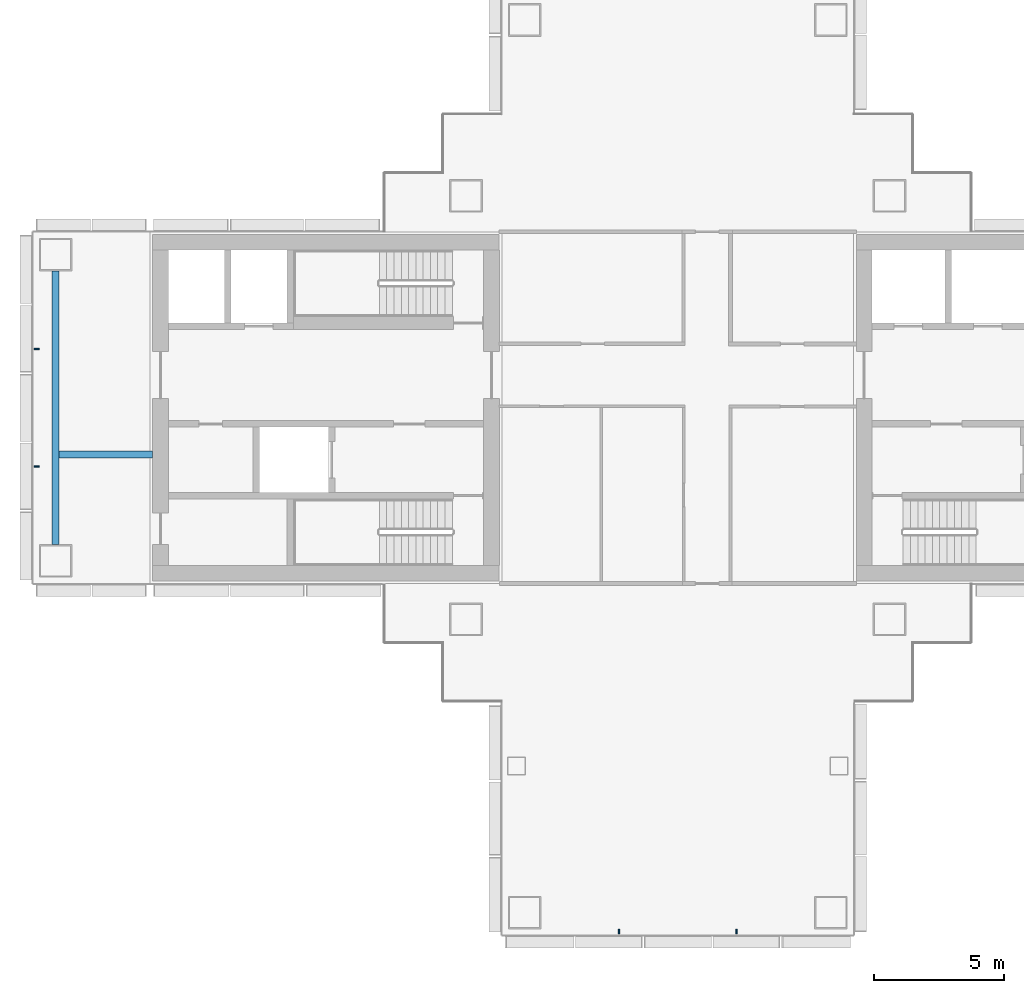
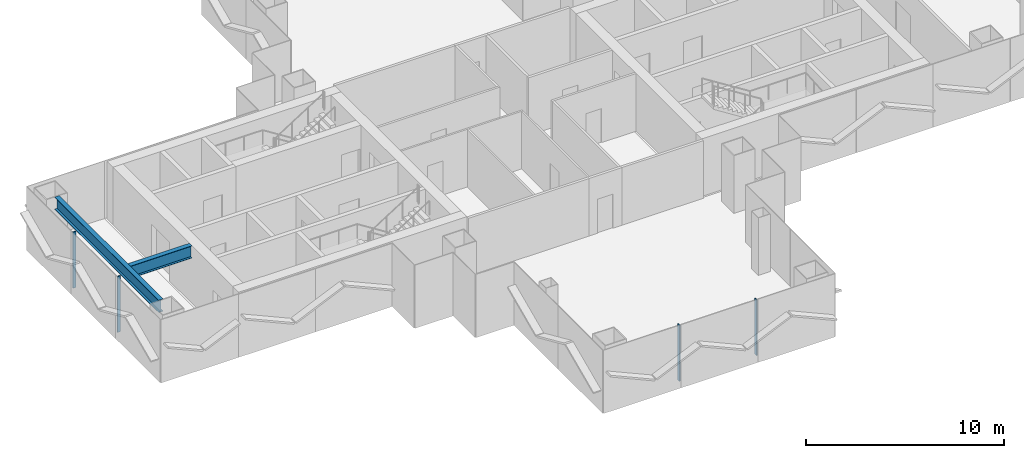
# One storey, part 3 of 18: 4 members, 2 beams, 2 elements without a shape of their own.
"""IFC4 building model written with IfcOpenShell, lengths in metres."""

from ifc_helpers import new_model, si_unit, direction, frame, origin, origin_2d, place, context, subcontext, project, spatial, rectangle, i_section, extrude, material, layer, layer_set, material_profile, profile_set, type_object, element, aggregate, save


model = new_model("IFC4")

# Units and contexts
model_context = context("Model", 3, precision=1e-05, world=origin(), true_north=direction((0.0, 1.0)))
body_context = subcontext(model_context, "Body", "Model", "MODEL_VIEW")
ifc_project = project(units=[si_unit("LENGTHUNIT", "METRE"), si_unit("AREAUNIT", "SQUARE_METRE"), si_unit("VOLUMEUNIT", "CUBIC_METRE"), si_unit("PLANEANGLEUNIT", "RADIAN"), si_unit("MASSUNIT", "GRAM", prefix="KILO")], contexts=[model_context])

# Site, building, storey
site_placement = place(None, origin())
site = spatial("IfcSite", under=ifc_project, at=site_placement, CompositionType="ELEMENT")
building_placement = place(site_placement, origin())
building = spatial("IfcBuilding", under=site, at=building_placement, Name="Shamsa Quay Exchange Towers", CompositionType="ELEMENT")
storey_placement = place(building_placement, frame((0.0, 0.0, 113.10009765625)))
storey = spatial("IfcBuildingStorey", under=building, at=storey_placement, Name="L26", CompositionType="ELEMENT", Elevation=113.10009765625)

# Curtain wall, members
ifc_material_1 = material(Name="Aluminium EN AW-6063 T6, black anodised", Category="aluminium")
ifc_layer = layer(ifc_material_1, 0.280029296875)
ifc_layer_set = layer_set([ifc_layer], Name="CW-1 UNITISED VISION GLASS")
curtain_wall_type = type_object("IfcCurtainWallType", Name="CW-1 UNITISED VISION GLASS", PredefinedType="NOTDEFINED", material=ifc_layer_set)
curtain_wall_1_placement = place(storey_placement, origin())
curtain_wall_1 = element("IfcCurtainWall", 1, at=curtain_wall_1_placement, inside=storey, type_object=curtain_wall_type, Name="CW1 T1-END-V- L26", PredefinedType="NOTDEFINED")
ifc_material_profile_1 = material_profile(ifc_material_1, rectangle(XDim=0.179931640625, YDim=0.06005859375, at=origin_2d()), Name="MU60x180")
ifc_profile_set_1 = profile_set([ifc_material_profile_1], Name="Aluminium EN AW-6063 T6, black anodised")
member_type = type_object("IfcMemberType", Name="CW1 MULLION 60x180", PredefinedType="MULLION", material=ifc_profile_set_1)
member_1_placement = place(storey_placement, frame((-36.0, -20.10009765625, 0.0), z_axis=(0.0, 0.0, 1.0), x_axis=(0.0, 1.0, 0.0)))
member_1 = element("IfcMember", 2, at=member_1_placement, type_object=member_type, Name="CW1 mullion", PredefinedType="MULLION", context=body_context, shape_type="SweptSolid", body=[
    extrude(rectangle(XDim=0.179931640625, YDim=0.06005859375, at=origin_2d()), origin(), (0.0, 0.0, 1.0), 3.449951171875),
])
member_2_placement = place(storey_placement, frame((-31.5, -20.10009765625, 0.0), z_axis=(0.0, 0.0, 1.0), x_axis=(0.0, 1.0, 0.0)))
member_2 = element("IfcMember", 3, at=member_2_placement, type_object=member_type, Name="CW1 mullion", PredefinedType="MULLION", context=body_context, shape_type="SweptSolid", body=[
    extrude(rectangle(XDim=0.179931640625, YDim=0.06005859375, at=origin_2d()), origin(), (0.0, 0.0, 1.0), 3.449951171875),
])
aggregate(curtain_wall_1, [member_1, member_2])

curtain_wall_2_placement = place(storey_placement, origin())
curtain_wall_2 = element("IfcCurtainWall", 4, at=curtain_wall_2_placement, inside=storey, type_object=curtain_wall_type, Name="CW1 T1-END-U- L26", PredefinedType="NOTDEFINED")
member_3_placement = place(storey_placement, frame((-58.35009765625, 2.25, 0.0)))
member_3 = element("IfcMember", 5, at=member_3_placement, type_object=member_type, Name="CW1 mullion", PredefinedType="MULLION", context=body_context, shape_type="SweptSolid", body=[
    extrude(rectangle(XDim=0.179931640625, YDim=0.06005859375, at=origin_2d()), origin(), (0.0, 0.0, 1.0), 3.449951171875),
])
member_4_placement = place(storey_placement, frame((-58.35009765625, -2.25, 0.0)))
member_4 = element("IfcMember", 6, at=member_4_placement, type_object=member_type, Name="CW1 mullion", PredefinedType="MULLION", context=body_context, shape_type="SweptSolid", body=[
    extrude(rectangle(XDim=0.179931640625, YDim=0.06005859375, at=origin_2d()), origin(), (0.0, 0.0, 1.0), 3.449951171875),
])
aggregate(curtain_wall_2, [member_3, member_4])

# Beams
ifc_material_2 = material(Name="Steel S355", Category="steel")
ifc_material_profile_2 = material_profile(ifc_material_2, i_section(OverallWidth=0.26611328125, OverallDepth=0.7578125, WebThickness=0.013916015625, FlangeThickness=0.019287109375, at=origin_2d()), Name="W30x108")
ifc_profile_set_2 = profile_set([ifc_material_profile_2], Name="Steel S355")
beam_type = type_object("IfcBeamType", Name="End-zone beam W30x108", PredefinedType="BEAM", material=ifc_profile_set_2)
beam_1_placement = place(storey_placement, frame((-57.625, -5.25, 3.171142578125), z_axis=(0.0, 1.0, 0.0), x_axis=(-1.0, 0.0, 0.0)))
element("IfcBeam", 7, at=beam_1_placement, inside=storey, type_object=beam_type, Name="End beam T1 U- end zone L26", PredefinedType="BEAM", context=body_context, shape_type="SweptSolid", body=[
    extrude(i_section(OverallWidth=0.26611328125, OverallDepth=0.7578125, WebThickness=0.013916015625, FlangeThickness=0.019287109375, at=origin_2d()), origin(), (0.0, 0.0, 1.0), 10.5),
])
beam_2_placement = place(storey_placement, frame((-53.89990234375, -1.800048828125, 3.171142578125), z_axis=(-1.0, 0.0, 0.0), x_axis=(0.0, -1.0, 0.0)))
element("IfcBeam", 8, at=beam_2_placement, inside=storey, type_object=beam_type, Name="Spine beam T1 U- end zone L26", PredefinedType="BEAM", context=body_context, shape_type="SweptSolid", body=[
    extrude(i_section(OverallWidth=0.26611328125, OverallDepth=0.7578125, WebThickness=0.013916015625, FlangeThickness=0.019287109375, at=origin_2d()), origin(), (0.0, 0.0, 1.0), 3.592041015625),
])

save(model, "model.ifc")
